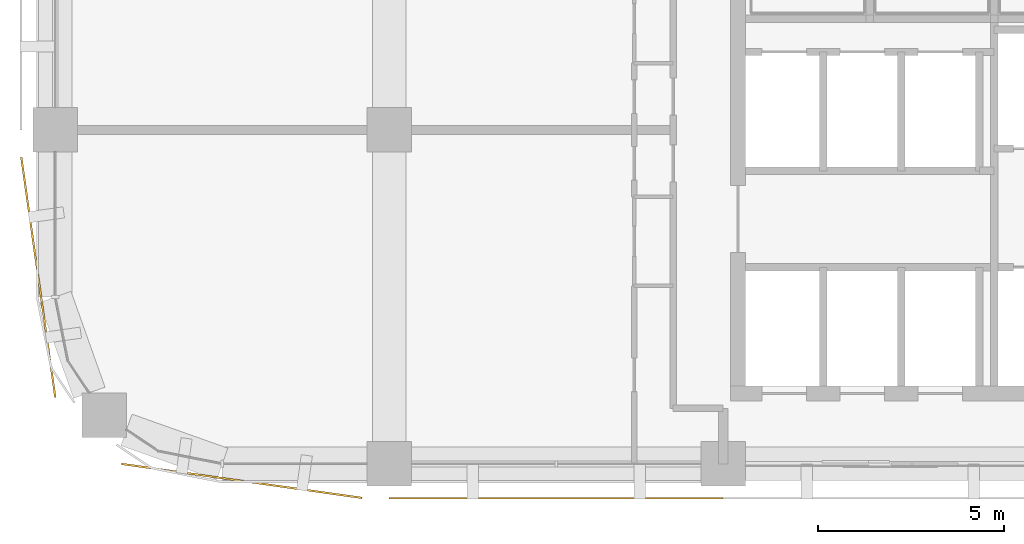
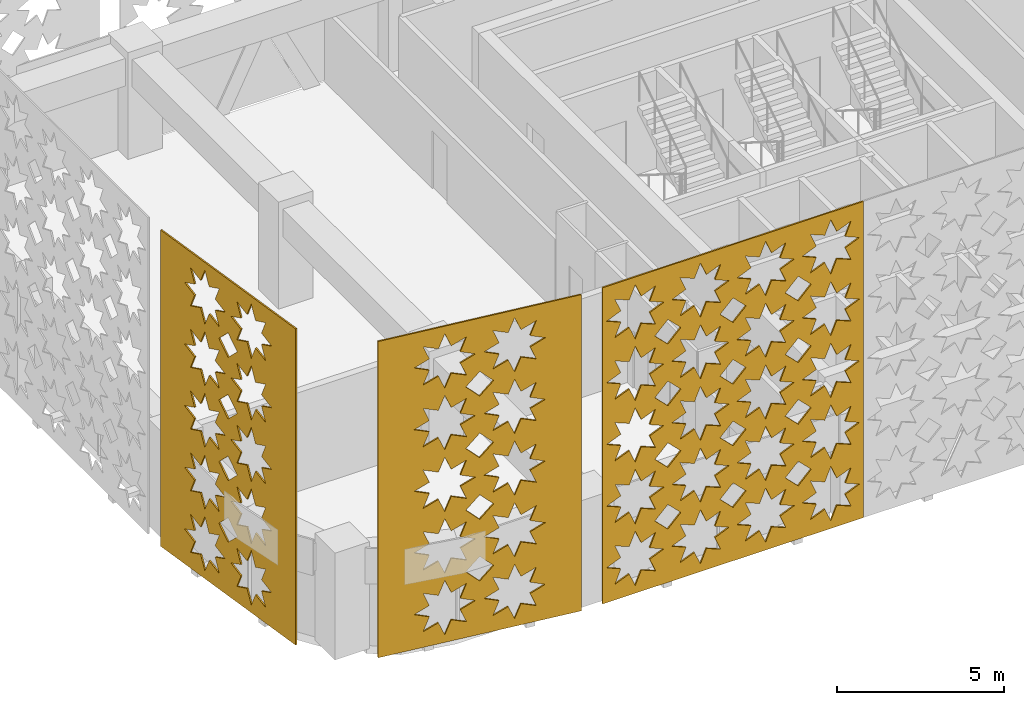
# One storey, part 9 of 14: 3 coverings.
"""IFC4 building model written with IfcOpenShell, lengths in metres."""

import ifcopenshell
import ifcopenshell.guid

model = None  # the IFC model being written
_history = None  # IfcOwnerHistory: only IFC2X3 demands one
_inside = {}  # id of a spatial element -> (the spatial element, [elements in it])
_under = {}  # id of a project, library or spatial element -> (it, [spatial elements below it])
_declared = {}  # id of a project -> (the project, [libraries it declares])
_typed = {}  # id of a type object -> (the type object, [elements of that type])
_made_of = {}  # id of a material, layer set ... -> (it, [elements and type objects made of it])


def new_model(schema):
    """Start an empty IFC model of exactly this schema.

    Asked for "IFC4X3", IfcOpenShell would pick the latest addendum, in which some entities
    have other attributes; the version numbers below select the first issue.
    IFC2X3 requires an IfcOwnerHistory on every rooted entity: one is made here for all.
    """
    global model, _history
    if schema == "IFC4X3":
        model = ifcopenshell.file(schema_version=(4, 3, 0, 0))
    else:
        model = ifcopenshell.file(schema=schema)
    _inside.clear()
    _under.clear()
    _declared.clear()
    _typed.clear()
    _made_of.clear()
    _history = None
    if model.schema == "IFC2X3":
        org = make("IfcOrganization", Name="unknown")
        user = make(
            "IfcPersonAndOrganization",
            ThePerson=make("IfcPerson", FamilyName="unknown"),
            TheOrganization=org,
        )
        app = make(
            "IfcApplication",
            ApplicationDeveloper=org,
            Version="unknown",
            ApplicationFullName="unknown",
            ApplicationIdentifier="unknown",
        )
        _history = make(
            "IfcOwnerHistory",
            OwningUser=user,
            OwningApplication=app,
            ChangeAction="ADDED",
            CreationDate=0,
        )
    return model


def make(cls, **values):
    """One entity of the class cls with the attributes given. An attribute that is None is left unset."""
    return model.create_entity(
        cls, **{name: value for name, value in values.items() if value is not None}
    )


def rooted(cls, **values):
    """An entity with a GlobalId (a new one), such as an element, a storey or a relation."""
    return make(cls, GlobalId=ifcopenshell.guid.new(), OwnerHistory=_history, **values)


def si_unit(unit_type, name, prefix=None):
    """IfcSIUnit, for example si_unit("LENGTHUNIT", "METRE", prefix="MILLI")."""
    return make("IfcSIUnit", UnitType=unit_type, Prefix=prefix, Name=name)


def assignment(units):
    """IfcUnitAssignment: the units of a project."""
    return None if units is None else make("IfcUnitAssignment", Units=units)


def point(xyz):
    """IfcCartesianPoint."""
    return None if xyz is None else make("IfcCartesianPoint", Coordinates=xyz)


def direction(xyz):
    """IfcDirection."""
    return None if xyz is None else make("IfcDirection", DirectionRatios=xyz)


def frame(location, z_axis=None, x_axis=None):
    """IfcAxis2Placement3D, a coordinate frame: its origin and axes. An axis left out is left unset."""
    return make(
        "IfcAxis2Placement3D",
        Location=point(location),
        Axis=direction(z_axis),
        RefDirection=direction(x_axis),
    )


def origin():
    """The frame at (0, 0, 0) with its axes left unset."""
    return frame((0.0, 0.0, 0.0))


def place(relative_to, where):
    """IfcLocalPlacement: puts the frame where relative to a parent placement (None: the world)."""
    return make(
        "IfcLocalPlacement", PlacementRelTo=relative_to, RelativePlacement=where
    )


def context(
    kind, dimensions, precision=None, world=None, true_north=None, identifier=None
):
    """IfcGeometricRepresentationContext, for example the 3D "Model" context."""
    return make(
        "IfcGeometricRepresentationContext",
        ContextIdentifier=identifier,
        ContextType=kind,
        CoordinateSpaceDimension=dimensions,
        Precision=precision,
        WorldCoordinateSystem=world,
        TrueNorth=true_north,
    )


def subcontext(parent, identifier, kind, view, scale=None):
    """IfcGeometricRepresentationSubContext, for example "Body" below "Model"."""
    return make(
        "IfcGeometricRepresentationSubContext",
        ContextIdentifier=identifier,
        ContextType=kind,
        ParentContext=parent,
        TargetScale=scale,
        TargetView=view,
    )


def project(units=None, contexts=None):
    """IfcProject with its units and contexts."""
    return rooted(
        "IfcProject",
        Name="project",
        RepresentationContexts=contexts,
        UnitsInContext=assignment(units),
    )


def spatial(cls, under=None, at=None, **own):
    """A site, building, storey or space (cls), placed at a placement, below another one or the project."""
    s = rooted(cls, ObjectPlacement=at, **own)
    if under is not None:
        _under.setdefault(under.id(), (under, []))[1].append(s)
    return s


def polyline(points):
    """IfcPolyline through the points."""
    return make("IfcPolyline", Points=[point(p) for p in points])


def outline(outer, holes=None, kind="AREA"):
    """IfcArbitraryClosedProfileDef: a profile drawn as a closed curve; with holes, ...WithVoids."""
    if holes is None:
        return make("IfcArbitraryClosedProfileDef", ProfileType=kind, OuterCurve=outer)
    return make(
        "IfcArbitraryProfileDefWithVoids",
        ProfileType=kind,
        OuterCurve=outer,
        InnerCurves=holes,
    )


def extrude(swept, where, along, depth):
    """IfcExtrudedAreaSolid: the profile swept, set in the frame where, extruded along a direction by depth."""
    return make(
        "IfcExtrudedAreaSolid",
        SweptArea=swept,
        Position=where,
        ExtrudedDirection=direction(along),
        Depth=depth,
    )


def shape(context_of_items, identifier, shape_type, items):
    """IfcShapeRepresentation: the items that make up one representation, for example the "Body"."""
    return make(
        "IfcShapeRepresentation",
        ContextOfItems=context_of_items,
        RepresentationIdentifier=identifier,
        RepresentationType=shape_type,
        Items=items,
    )


def material(Name=None, Category=None):
    """IfcMaterial."""
    return make("IfcMaterial", Name=Name, Category=Category)


def layer(
    of_material, thickness, ventilated=None, Name=None, Category=None, Priority=None
):
    """IfcMaterialLayer: one layer of a wall or slab, of a material (None: an air gap)."""
    return make(
        "IfcMaterialLayer",
        Material=of_material,
        LayerThickness=thickness,
        IsVentilated=ventilated,
        Name=Name,
        Category=Category,
        Priority=Priority,
    )


def layer_set(layers, Name=None):
    """IfcMaterialLayerSet."""
    return make("IfcMaterialLayerSet", MaterialLayers=layers, LayerSetName=Name)


def made_of(thing, what):
    """Note that an element or type object is made of a material, layer set ...; save() writes the relation."""
    if what is not None:
        _made_of.setdefault(what.id(), (what, []))[1].append(thing)
    return thing


def type_object(cls, material=None, **own):
    """A type object (cls), such as IfcWallType, which elements share."""
    return made_of(rooted(cls, **own), material)


def element(
    cls,
    number,
    at=None,
    inside=None,
    cuts=None,
    type_object=None,
    material=None,
    context=None,
    identifier="Body",
    shape_type=None,
    held_by="IfcProductDefinitionShape",
    body=None,
    shapes=None,
    **own,
):
    """One element of the class cls, such as IfcWall. Its Tag is "e" and its number.

    at: its placement. inside: the storey or other place that contains it. cuts: it is an
    opening in that element (IfcRelVoidsElement). A single representation is given by context,
    identifier, shape_type and body (its items); several are given by shapes. held_by: the class
    of the entity that holds the representations. save() writes the other relations.
    """
    e = rooted(cls, Tag="e%d" % number, ObjectPlacement=at, **own)
    if body is not None:
        shapes = [shape(context, identifier, shape_type, body)]
    if shapes is not None:
        e.Representation = make(held_by, Representations=shapes)
    if inside is not None:
        _inside.setdefault(inside.id(), (inside, []))[1].append(e)
    if cuts is not None:
        rooted(
            "IfcRelVoidsElement", RelatingBuildingElement=cuts, RelatedOpeningElement=e
        )
    if type_object is not None:
        _typed.setdefault(type_object.id(), (type_object, []))[1].append(e)
    return made_of(e, material)


def aggregate(whole, parts):
    """IfcRelAggregates: a whole, such as a stair, and the parts it consists of."""
    return rooted("IfcRelAggregates", RelatingObject=whole, RelatedObjects=parts)


def save(model, path):
    """Write the relations noted so far, then the file.

    IfcRelAggregates (storeys below a building ...), IfcRelContainedInSpatialStructure (elements
    in a storey), IfcRelDefinesByType, IfcRelAssociatesMaterial and IfcRelDeclares: one each for
    every whole, place, type object, material and project.
    """
    for whole, parts in _under.values():
        aggregate(whole, parts)
    for where, things in _inside.values():
        rooted(
            "IfcRelContainedInSpatialStructure",
            RelatedElements=things,
            RelatingStructure=where,
        )
    for kind, things in _typed.values():
        rooted("IfcRelDefinesByType", RelatedObjects=things, RelatingType=kind)
    for what, things in _made_of.values():
        rooted("IfcRelAssociatesMaterial", RelatedObjects=things, RelatingMaterial=what)
    for by, libraries in _declared.values():
        rooted("IfcRelDeclares", RelatingContext=by, RelatedDefinitions=libraries)
    model.write(path)


model = new_model("IFC4")

# Units and contexts
model_context = context("Model", 3, precision=1e-05, world=origin(), true_north=direction((0.0, 1.0)))
body_context = subcontext(model_context, "Body", "Model", "MODEL_VIEW")
ifc_project = project(units=[si_unit("LENGTHUNIT", "METRE"), si_unit("AREAUNIT", "SQUARE_METRE"), si_unit("VOLUMEUNIT", "CUBIC_METRE"), si_unit("PLANEANGLEUNIT", "RADIAN"), si_unit("MASSUNIT", "GRAM", prefix="KILO")], contexts=[model_context])

# Site, building, storey
site_placement = place(None, origin())
site = spatial("IfcSite", under=ifc_project, at=site_placement, CompositionType="ELEMENT")
building_placement = place(site_placement, origin())
building = spatial("IfcBuilding", under=site, at=building_placement, Name="Tessera Arch", CompositionType="ELEMENT")
storey_placement = place(building_placement, frame((0.0, 0.0, 269.60009765625)))
storey = spatial("IfcBuildingStorey", under=building, at=storey_placement, Name="L65", CompositionType="ELEMENT", Elevation=269.60009765625)

# Coverings
ifc_material_1 = material(Name="Anodised aluminium pale metal", Category="aluminium")
ifc_layer_1 = layer(ifc_material_1, 0.050048828125)
ifc_layer_set_1 = layer_set([ifc_layer_1], Name="Pierced screen panel corner bay")
covering_type_1 = type_object("IfcCoveringType", Name="Pierced screen panel corner bay", PredefinedType="CLADDING", material=ifc_layer_set_1)
covering_1_placement = place(storey_placement, frame((17.10888671875, 35.27392578125, 11.699951171875), z_axis=(0.990141011378, 0.140074186016, 0.0), x_axis=(0.140074186016, -0.990141011378, 0.0)))
element("IfcCovering", 1, at=covering_1_placement, inside=storey, type_object=covering_type_1, Name="SCREEN pierced panel W18.27/2 L65-L67", PredefinedType="CLADDING", context=body_context, shape_type="SweptSolid", body=[
    extrude(outline(polyline([(0.0, 0.0), (6.546475218445481, 0.0), (6.546475218445481, 11.5400390625), (0.0, 11.5400390625), (0.0, 0.0)]), holes=[polyline([(3.1378926073747033, 10.27001953125), (2.646957140062835, 10.06298828125), (2.8479028079497066, 9.570068359375), (2.354999273675671, 9.77099609375), (2.147907671256942, 9.280029296875), (1.941990539265672, 9.77099609375), (1.4481200704102128, 9.570068359375), (1.6490657382970841, 10.06298828125), (1.158130270985216, 10.27001953125), (1.6490657382970841, 10.47705078125), (1.4481200704102128, 10.969970703125), (1.941990539265672, 10.76904296875), (2.147907671256942, 11.260009765625), (2.354999273675671, 10.76904296875), (2.8479028079497066, 10.969970703125), (2.646957140062835, 10.47705078125), (3.1378926073747033, 10.27001953125)]), polyline([(3.1378926073747033, 8.02001953125), (2.646957140062835, 7.81298828125), (2.8479028079497066, 7.320068359375), (2.354999273675671, 7.52099609375), (2.147907671256942, 7.030029296875), (1.941990539265672, 7.52099609375), (1.4481200704102128, 7.320068359375), (1.6490657382970841, 7.81298828125), (1.158130270985216, 8.02001953125), (1.6490657382970841, 8.22705078125), (1.4481200704102128, 8.719970703125), (1.941990539265672, 8.51904296875), (2.147907671256942, 9.010009765625), (2.354999273675671, 8.51904296875), (2.8479028079497066, 8.719970703125), (2.646957140062835, 8.22705078125), (3.1378926073747033, 8.02001953125)]), polyline([(3.1378926073747033, 5.77001953125), (2.646957140062835, 5.56298828125), (2.8479028079497066, 5.070068359375), (2.354999273675671, 5.27099609375), (2.147907671256942, 4.780029296875), (1.941990539265672, 5.27099609375), (1.4481200704102128, 5.070068359375), (1.6490657382970841, 5.56298828125), (1.158130270985216, 5.77001953125), (1.6490657382970841, 5.97705078125), (1.4481200704102128, 6.469970703125), (1.941990539265672, 6.26904296875), (2.147907671256942, 6.760009765625), (2.354999273675671, 6.26904296875), (2.8479028079497066, 6.469970703125), (2.646957140062835, 5.97705078125), (3.1378926073747033, 5.77001953125)]), polyline([(3.1378926073747033, 3.52001953125), (2.646957140062835, 3.31298828125), (2.8479028079497066, 2.820068359375), (2.354999273675671, 3.02099609375), (2.147907671256942, 2.530029296875), (1.941990539265672, 3.02099609375), (1.4481200704102128, 2.820068359375), (1.6490657382970841, 3.31298828125), (1.158130270985216, 3.52001953125), (1.6490657382970841, 3.72705078125), (1.4481200704102128, 4.219970703125), (1.941990539265672, 4.01904296875), (2.147907671256942, 4.510009765625), (2.354999273675671, 4.01904296875), (2.8479028079497066, 4.219970703125), (2.646957140062835, 3.72705078125), (3.1378926073747033, 3.52001953125)]), polyline([(3.1378926073747033, 1.27001953125), (2.646957140062835, 1.06298828125), (2.8479028079497066, 0.570068359375), (2.354999273675671, 0.77099609375), (2.147907671256942, 0.280029296875), (1.941990539265672, 0.77099609375), (1.4481200704102128, 0.570068359375), (1.6490657382970841, 1.06298828125), (1.158130270985216, 1.27001953125), (1.6490657382970841, 1.47705078125), (1.4481200704102128, 1.969970703125), (1.941990539265672, 1.76904296875), (2.147907671256942, 2.260009765625), (2.354999273675671, 1.76904296875), (2.8479028079497066, 1.969970703125), (2.646957140062835, 1.47705078125), (3.1378926073747033, 1.27001953125)]), polyline([(5.387861480169554, 10.27001953125), (4.896926012857686, 10.06298828125), (5.097871680744557, 9.570068359375), (4.604968146470521, 9.77099609375), (4.398118277697149, 9.280029296875), (4.191959412060523, 9.77099609375), (3.698088943205064, 9.570068359375), (3.899034611091935, 10.06298828125), (3.408099143780067, 10.27001953125), (3.899034611091935, 10.47705078125), (3.698088943205064, 10.969970703125), (4.191959412060523, 10.76904296875), (4.398118277697149, 11.260009765625), (4.604968146470521, 10.76904296875), (5.097871680744557, 10.969970703125), (4.896926012857686, 10.47705078125), (5.387861480169554, 10.27001953125)]), polyline([(5.387861480169554, 8.02001953125), (4.896926012857686, 7.81298828125), (5.097871680744557, 7.320068359375), (4.604968146470521, 7.52099609375), (4.398118277697149, 7.030029296875), (4.191959412060523, 7.52099609375), (3.698088943205064, 7.320068359375), (3.899034611091935, 7.81298828125), (3.408099143780067, 8.02001953125), (3.899034611091935, 8.22705078125), (3.698088943205064, 8.719970703125), (4.191959412060523, 8.51904296875), (4.398118277697149, 9.010009765625), (4.604968146470521, 8.51904296875), (5.097871680744557, 8.719970703125), (4.896926012857686, 8.22705078125), (5.387861480169554, 8.02001953125)]), polyline([(5.387861480169554, 5.77001953125), (4.896926012857686, 5.56298828125), (5.097871680744557, 5.070068359375), (4.604968146470521, 5.27099609375), (4.398118277697149, 4.780029296875), (4.191959412060523, 5.27099609375), (3.698088943205064, 5.070068359375), (3.899034611091935, 5.56298828125), (3.408099143780067, 5.77001953125), (3.899034611091935, 5.97705078125), (3.698088943205064, 6.469970703125), (4.191959412060523, 6.26904296875), (4.398118277697149, 6.760009765625), (4.604968146470521, 6.26904296875), (5.097871680744557, 6.469970703125), (4.896926012857686, 5.97705078125), (5.387861480169554, 5.77001953125)]), polyline([(5.387861480169554, 3.52001953125), (4.896926012857686, 3.31298828125), (5.097871680744557, 2.820068359375), (4.604968146470521, 3.02099609375), (4.398118277697149, 2.530029296875), (4.191959412060523, 3.02099609375), (3.698088943205064, 2.820068359375), (3.899034611091935, 3.31298828125), (3.408099143780067, 3.52001953125), (3.899034611091935, 3.72705078125), (3.698088943205064, 4.219970703125), (4.191959412060523, 4.01904296875), (4.398118277697149, 4.510009765625), (4.604968146470521, 4.01904296875), (5.097871680744557, 4.219970703125), (4.896926012857686, 3.72705078125), (5.387861480169554, 3.52001953125)]), polyline([(5.387861480169554, 1.27001953125), (4.896926012857686, 1.06298828125), (5.097871680744557, 0.570068359375), (4.604968146470521, 0.77099609375), (4.398118277697149, 0.280029296875), (4.191959412060523, 0.77099609375), (3.698088943205064, 0.570068359375), (3.899034611091935, 1.06298828125), (3.408099143780067, 1.27001953125), (3.899034611091935, 1.47705078125), (3.698088943205064, 1.969970703125), (4.191959412060523, 1.76904296875), (4.398118277697149, 2.260009765625), (4.604968146470521, 1.76904296875), (5.097871680744557, 1.969970703125), (4.896926012857686, 1.47705078125), (5.387861480169554, 1.27001953125)]), polyline([(3.7229828105764913, 9.14501953125), (3.2729958755773856, 8.695068359375), (2.823008940578279, 9.14501953125), (3.2729958755773856, 9.594970703125), (3.7229828105764913, 9.14501953125)]), polyline([(3.7229828105764913, 6.89501953125), (3.2729958755773856, 6.445068359375), (2.823008940578279, 6.89501953125), (3.2729958755773856, 7.344970703125), (3.7229828105764913, 6.89501953125)]), polyline([(3.7229828105764913, 4.64501953125), (3.2729958755773856, 4.195068359375), (2.823008940578279, 4.64501953125), (3.2729958755773856, 5.094970703125), (3.7229828105764913, 4.64501953125)]), polyline([(3.7229828105764913, 2.39501953125), (3.2729958755773856, 1.945068359375), (2.823008940578279, 2.39501953125), (3.2729958755773856, 2.844970703125), (3.7229828105764913, 2.39501953125)])]), origin(), (0.0, 0.0, -1.0), 0.050048828125),
])
covering_2_placement = place(storey_placement, frame((19.7919921875, 27.02587890625, 11.699951171875), z_axis=(0.140074186016, 0.990141011378, 0.0), x_axis=(0.990141011378, -0.140074186016, 0.0)))
element("IfcCovering", 2, at=covering_2_placement, inside=storey, type_object=covering_type_1, Name="SCREEN pierced panel S27.18/0 L65-L67", PredefinedType="CLADDING", context=body_context, shape_type="SweptSolid", body=[
    extrude(outline(polyline([(0.0, 0.0), (6.546475218445481, 0.0), (6.546475218445481, 11.5400390625), (0.0, 11.5400390625), (0.0, 0.0)]), holes=[polyline([(3.137858409575383, 10.27001953125), (2.6469229422635148, 10.06298828125), (2.8479028079497066, 9.570068359375), (2.354999273675671, 9.77099609375), (2.1478734734576217, 9.280029296875), (1.941990539265672, 9.77099609375), (1.447878336764857, 9.570068359375), (1.6490657382970841, 10.06298828125), (1.15788853733986, 10.27001953125), (1.6490657382970841, 10.47705078125), (1.447878336764857, 10.969970703125), (1.941990539265672, 10.76904296875), (2.1478734734576217, 11.260009765625), (2.354999273675671, 10.76904296875), (2.8479028079497066, 10.969970703125), (2.6469229422635148, 10.47705078125), (3.137858409575383, 10.27001953125)]), polyline([(3.137858409575383, 8.02001953125), (2.6469229422635148, 7.81298828125), (2.8479028079497066, 7.320068359375), (2.354999273675671, 7.52099609375), (2.1478734734576217, 7.030029296875), (1.941990539265672, 7.52099609375), (1.447878336764857, 7.320068359375), (1.6490657382970841, 7.81298828125), (1.15788853733986, 8.02001953125), (1.6490657382970841, 8.22705078125), (1.447878336764857, 8.719970703125), (1.941990539265672, 8.51904296875), (2.1478734734576217, 9.010009765625), (2.354999273675671, 8.51904296875), (2.8479028079497066, 8.719970703125), (2.6469229422635148, 8.22705078125), (3.137858409575383, 8.02001953125)]), polyline([(3.137858409575383, 5.77001953125), (2.6469229422635148, 5.56298828125), (2.8479028079497066, 5.070068359375), (2.354999273675671, 5.27099609375), (2.1478734734576217, 4.780029296875), (1.941990539265672, 5.27099609375), (1.447878336764857, 5.070068359375), (1.6490657382970841, 5.56298828125), (1.15788853733986, 5.77001953125), (1.6490657382970841, 5.97705078125), (1.447878336764857, 6.469970703125), (1.941990539265672, 6.26904296875), (2.1478734734576217, 6.760009765625), (2.354999273675671, 6.26904296875), (2.8479028079497066, 6.469970703125), (2.6469229422635148, 5.97705078125), (3.137858409575383, 5.77001953125)]), polyline([(3.137858409575383, 3.52001953125), (2.6469229422635148, 3.31298828125), (2.8479028079497066, 2.820068359375), (2.354999273675671, 3.02099609375), (2.1478734734576217, 2.530029296875), (1.941990539265672, 3.02099609375), (1.447878336764857, 2.820068359375), (1.6490657382970841, 3.31298828125), (1.15788853733986, 3.52001953125), (1.6490657382970841, 3.72705078125), (1.447878336764857, 4.219970703125), (1.941990539265672, 4.01904296875), (2.1478734734576217, 4.510009765625), (2.354999273675671, 4.01904296875), (2.8479028079497066, 4.219970703125), (2.6469229422635148, 3.72705078125), (3.137858409575383, 3.52001953125)]), polyline([(3.137858409575383, 1.27001953125), (2.6469229422635148, 1.06298828125), (2.8479028079497066, 0.570068359375), (2.354999273675671, 0.77099609375), (2.1478734734576217, 0.280029296875), (1.941990539265672, 0.77099609375), (1.447878336764857, 0.570068359375), (1.6490657382970841, 1.06298828125), (1.15788853733986, 1.27001953125), (1.6490657382970841, 1.47705078125), (1.447878336764857, 1.969970703125), (1.941990539265672, 1.76904296875), (2.1478734734576217, 2.260009765625), (2.354999273675671, 1.76904296875), (2.8479028079497066, 1.969970703125), (2.6469229422635148, 1.47705078125), (3.137858409575383, 1.27001953125)]), polyline([(5.387827282370234, 10.27001953125), (4.896891815058366, 10.06298828125), (5.097871680744557, 9.570068359375), (4.604968146470521, 9.77099609375), (4.397842346252473, 9.280029296875), (4.191959412060523, 9.77099609375), (3.698088943205064, 9.570068359375), (3.899034611091935, 10.06298828125), (3.407857410134711, 10.27001953125), (3.899034611091935, 10.47705078125), (3.698088943205064, 10.969970703125), (4.191959412060523, 10.76904296875), (4.397842346252473, 11.260009765625), (4.604968146470521, 10.76904296875), (5.097871680744557, 10.969970703125), (4.896891815058366, 10.47705078125), (5.387827282370234, 10.27001953125)]), polyline([(5.387827282370234, 8.02001953125), (4.896891815058366, 7.81298828125), (5.097871680744557, 7.320068359375), (4.604968146470521, 7.52099609375), (4.397842346252473, 7.030029296875), (4.191959412060523, 7.52099609375), (3.698088943205064, 7.320068359375), (3.899034611091935, 7.81298828125), (3.407857410134711, 8.02001953125), (3.899034611091935, 8.22705078125), (3.698088943205064, 8.719970703125), (4.191959412060523, 8.51904296875), (4.397842346252473, 9.010009765625), (4.604968146470521, 8.51904296875), (5.097871680744557, 8.719970703125), (4.896891815058366, 8.22705078125), (5.387827282370234, 8.02001953125)]), polyline([(5.387827282370234, 5.77001953125), (4.896891815058366, 5.56298828125), (5.097871680744557, 5.070068359375), (4.604968146470521, 5.27099609375), (4.397842346252473, 4.780029296875), (4.191959412060523, 5.27099609375), (3.698088943205064, 5.070068359375), (3.899034611091935, 5.56298828125), (3.407857410134711, 5.77001953125), (3.899034611091935, 5.97705078125), (3.698088943205064, 6.469970703125), (4.191959412060523, 6.26904296875), (4.397842346252473, 6.760009765625), (4.604968146470521, 6.26904296875), (5.097871680744557, 6.469970703125), (4.896891815058366, 5.97705078125), (5.387827282370234, 5.77001953125)]), polyline([(5.387827282370234, 3.52001953125), (4.896891815058366, 3.31298828125), (5.097871680744557, 2.820068359375), (4.604968146470521, 3.02099609375), (4.397842346252473, 2.530029296875), (4.191959412060523, 3.02099609375), (3.698088943205064, 2.820068359375), (3.899034611091935, 3.31298828125), (3.407857410134711, 3.52001953125), (3.899034611091935, 3.72705078125), (3.698088943205064, 4.219970703125), (4.191959412060523, 4.01904296875), (4.397842346252473, 4.510009765625), (4.604968146470521, 4.01904296875), (5.097871680744557, 4.219970703125), (4.896891815058366, 3.72705078125), (5.387827282370234, 3.52001953125)]), polyline([(5.387827282370234, 1.27001953125), (4.896891815058366, 1.06298828125), (5.097871680744557, 0.570068359375), (4.604968146470521, 0.77099609375), (4.397842346252473, 0.280029296875), (4.191959412060523, 0.77099609375), (3.698088943205064, 0.570068359375), (3.899034611091935, 1.06298828125), (3.407857410134711, 1.27001953125), (3.899034611091935, 1.47705078125), (3.698088943205064, 1.969970703125), (4.191959412060523, 1.76904296875), (4.397842346252473, 2.260009765625), (4.604968146470521, 1.76904296875), (5.097871680744557, 1.969970703125), (4.896891815058366, 1.47705078125), (5.387827282370234, 1.27001953125)]), polyline([(3.7229828105764913, 9.14501953125), (3.2729958755773856, 8.695068359375), (2.8229747427789587, 9.14501953125), (3.2729958755773856, 9.594970703125), (3.7229828105764913, 9.14501953125)]), polyline([(3.7229828105764913, 6.89501953125), (3.2729958755773856, 6.445068359375), (2.8229747427789587, 6.89501953125), (3.2729958755773856, 7.344970703125), (3.7229828105764913, 6.89501953125)]), polyline([(3.7229828105764913, 4.64501953125), (3.2729958755773856, 4.195068359375), (2.8229747427789587, 4.64501953125), (3.2729958755773856, 5.094970703125), (3.7229828105764913, 4.64501953125)]), polyline([(3.7229828105764913, 2.39501953125), (3.2729958755773856, 1.945068359375), (2.8229747427789587, 2.39501953125), (3.2729958755773856, 2.844970703125), (3.7229828105764913, 2.39501953125)])]), origin(), (0.0, 0.0, -1.0), 0.050048828125),
])
ifc_material_2 = material(Name="Anodised aluminium pale metal", Category="aluminium")
ifc_layer_2 = layer(ifc_material_2, 0.050048828125)
ifc_layer_set_2 = layer_set([ifc_layer_2], Name="Pierced screen panel straight bay")
covering_type_2 = type_object("IfcCoveringType", Name="Pierced screen panel straight bay", PredefinedType="CLADDING", material=ifc_layer_set_2)
covering_3_placement = place(storey_placement, frame((27.0, 26.10009765625, 11.699951171875), z_axis=(0.0, 1.0, 0.0), x_axis=(1.0, 0.0, 0.0)))
element("IfcCovering", 3, at=covering_3_placement, inside=storey, type_object=covering_type_2, Name="SCREEN pierced panel S27.18/1 L65-L67", PredefinedType="CLADDING", context=body_context, shape_type="SweptSolid", body=[
    extrude(outline(polyline([(0.0, 0.0), (9.0, 0.0), (9.0, 11.5400390625), (0.0, 11.5400390625), (0.0, 0.0)]), holes=[polyline([(2.114990234375, 10.27001953125), (1.6240234375, 10.06298828125), (1.824951171875, 9.570068359375), (1.33203125, 9.77099609375), (1.125, 9.280029296875), (0.91796875, 9.77099609375), (0.425048828125, 9.570068359375), (0.6259765625, 10.06298828125), (0.135009765625, 10.27001953125), (0.6259765625, 10.47705078125), (0.425048828125, 10.969970703125), (0.91796875, 10.76904296875), (1.125, 11.260009765625), (1.33203125, 10.76904296875), (1.824951171875, 10.969970703125), (1.6240234375, 10.47705078125), (2.114990234375, 10.27001953125)]), polyline([(2.114990234375, 8.02001953125), (1.6240234375, 7.81298828125), (1.824951171875, 7.320068359375), (1.33203125, 7.52099609375), (1.125, 7.030029296875), (0.91796875, 7.52099609375), (0.425048828125, 7.320068359375), (0.6259765625, 7.81298828125), (0.135009765625, 8.02001953125), (0.6259765625, 8.22705078125), (0.425048828125, 8.719970703125), (0.91796875, 8.51904296875), (1.125, 9.010009765625), (1.33203125, 8.51904296875), (1.824951171875, 8.719970703125), (1.6240234375, 8.22705078125), (2.114990234375, 8.02001953125)]), polyline([(2.114990234375, 5.77001953125), (1.6240234375, 5.56298828125), (1.824951171875, 5.070068359375), (1.33203125, 5.27099609375), (1.125, 4.780029296875), (0.91796875, 5.27099609375), (0.425048828125, 5.070068359375), (0.6259765625, 5.56298828125), (0.135009765625, 5.77001953125), (0.6259765625, 5.97705078125), (0.425048828125, 6.469970703125), (0.91796875, 6.26904296875), (1.125, 6.760009765625), (1.33203125, 6.26904296875), (1.824951171875, 6.469970703125), (1.6240234375, 5.97705078125), (2.114990234375, 5.77001953125)]), polyline([(2.114990234375, 3.52001953125), (1.6240234375, 3.31298828125), (1.824951171875, 2.820068359375), (1.33203125, 3.02099609375), (1.125, 2.530029296875), (0.91796875, 3.02099609375), (0.425048828125, 2.820068359375), (0.6259765625, 3.31298828125), (0.135009765625, 3.52001953125), (0.6259765625, 3.72705078125), (0.425048828125, 4.219970703125), (0.91796875, 4.01904296875), (1.125, 4.510009765625), (1.33203125, 4.01904296875), (1.824951171875, 4.219970703125), (1.6240234375, 3.72705078125), (2.114990234375, 3.52001953125)]), polyline([(2.114990234375, 1.27001953125), (1.6240234375, 1.06298828125), (1.824951171875, 0.570068359375), (1.33203125, 0.77099609375), (1.125, 0.280029296875), (0.91796875, 0.77099609375), (0.425048828125, 0.570068359375), (0.6259765625, 1.06298828125), (0.135009765625, 1.27001953125), (0.6259765625, 1.47705078125), (0.425048828125, 1.969970703125), (0.91796875, 1.76904296875), (1.125, 2.260009765625), (1.33203125, 1.76904296875), (1.824951171875, 1.969970703125), (1.6240234375, 1.47705078125), (2.114990234375, 1.27001953125)]), polyline([(4.364990234375, 10.27001953125), (3.8740234375, 10.06298828125), (4.074951171875, 9.570068359375), (3.58203125, 9.77099609375), (3.375, 9.280029296875), (3.16796875, 9.77099609375), (2.675048828125, 9.570068359375), (2.8759765625, 10.06298828125), (2.385009765625, 10.27001953125), (2.8759765625, 10.47705078125), (2.675048828125, 10.969970703125), (3.16796875, 10.76904296875), (3.375, 11.260009765625), (3.58203125, 10.76904296875), (4.074951171875, 10.969970703125), (3.8740234375, 10.47705078125), (4.364990234375, 10.27001953125)]), polyline([(4.364990234375, 8.02001953125), (3.8740234375, 7.81298828125), (4.074951171875, 7.320068359375), (3.58203125, 7.52099609375), (3.375, 7.030029296875), (3.16796875, 7.52099609375), (2.675048828125, 7.320068359375), (2.8759765625, 7.81298828125), (2.385009765625, 8.02001953125), (2.8759765625, 8.22705078125), (2.675048828125, 8.719970703125), (3.16796875, 8.51904296875), (3.375, 9.010009765625), (3.58203125, 8.51904296875), (4.074951171875, 8.719970703125), (3.8740234375, 8.22705078125), (4.364990234375, 8.02001953125)]), polyline([(4.364990234375, 5.77001953125), (3.8740234375, 5.56298828125), (4.074951171875, 5.070068359375), (3.58203125, 5.27099609375), (3.375, 4.780029296875), (3.16796875, 5.27099609375), (2.675048828125, 5.070068359375), (2.8759765625, 5.56298828125), (2.385009765625, 5.77001953125), (2.8759765625, 5.97705078125), (2.675048828125, 6.469970703125), (3.16796875, 6.26904296875), (3.375, 6.760009765625), (3.58203125, 6.26904296875), (4.074951171875, 6.469970703125), (3.8740234375, 5.97705078125), (4.364990234375, 5.77001953125)]), polyline([(4.364990234375, 3.52001953125), (3.8740234375, 3.31298828125), (4.074951171875, 2.820068359375), (3.58203125, 3.02099609375), (3.375, 2.530029296875), (3.16796875, 3.02099609375), (2.675048828125, 2.820068359375), (2.8759765625, 3.31298828125), (2.385009765625, 3.52001953125), (2.8759765625, 3.72705078125), (2.675048828125, 4.219970703125), (3.16796875, 4.01904296875), (3.375, 4.510009765625), (3.58203125, 4.01904296875), (4.074951171875, 4.219970703125), (3.8740234375, 3.72705078125), (4.364990234375, 3.52001953125)]), polyline([(4.364990234375, 1.27001953125), (3.8740234375, 1.06298828125), (4.074951171875, 0.570068359375), (3.58203125, 0.77099609375), (3.375, 0.280029296875), (3.16796875, 0.77099609375), (2.675048828125, 0.570068359375), (2.8759765625, 1.06298828125), (2.385009765625, 1.27001953125), (2.8759765625, 1.47705078125), (2.675048828125, 1.969970703125), (3.16796875, 1.76904296875), (3.375, 2.260009765625), (3.58203125, 1.76904296875), (4.074951171875, 1.969970703125), (3.8740234375, 1.47705078125), (4.364990234375, 1.27001953125)]), polyline([(6.614990234375, 10.27001953125), (6.1240234375, 10.06298828125), (6.324951171875, 9.570068359375), (5.83203125, 9.77099609375), (5.625, 9.280029296875), (5.41796875, 9.77099609375), (4.925048828125, 9.570068359375), (5.1259765625, 10.06298828125), (4.635009765625, 10.27001953125), (5.1259765625, 10.47705078125), (4.925048828125, 10.969970703125), (5.41796875, 10.76904296875), (5.625, 11.260009765625), (5.83203125, 10.76904296875), (6.324951171875, 10.969970703125), (6.1240234375, 10.47705078125), (6.614990234375, 10.27001953125)]), polyline([(6.614990234375, 8.02001953125), (6.1240234375, 7.81298828125), (6.324951171875, 7.320068359375), (5.83203125, 7.52099609375), (5.625, 7.030029296875), (5.41796875, 7.52099609375), (4.925048828125, 7.320068359375), (5.1259765625, 7.81298828125), (4.635009765625, 8.02001953125), (5.1259765625, 8.22705078125), (4.925048828125, 8.719970703125), (5.41796875, 8.51904296875), (5.625, 9.010009765625), (5.83203125, 8.51904296875), (6.324951171875, 8.719970703125), (6.1240234375, 8.22705078125), (6.614990234375, 8.02001953125)]), polyline([(6.614990234375, 5.77001953125), (6.1240234375, 5.56298828125), (6.324951171875, 5.070068359375), (5.83203125, 5.27099609375), (5.625, 4.780029296875), (5.41796875, 5.27099609375), (4.925048828125, 5.070068359375), (5.1259765625, 5.56298828125), (4.635009765625, 5.77001953125), (5.1259765625, 5.97705078125), (4.925048828125, 6.469970703125), (5.41796875, 6.26904296875), (5.625, 6.760009765625), (5.83203125, 6.26904296875), (6.324951171875, 6.469970703125), (6.1240234375, 5.97705078125), (6.614990234375, 5.77001953125)]), polyline([(6.614990234375, 3.52001953125), (6.1240234375, 3.31298828125), (6.324951171875, 2.820068359375), (5.83203125, 3.02099609375), (5.625, 2.530029296875), (5.41796875, 3.02099609375), (4.925048828125, 2.820068359375), (5.1259765625, 3.31298828125), (4.635009765625, 3.52001953125), (5.1259765625, 3.72705078125), (4.925048828125, 4.219970703125), (5.41796875, 4.01904296875), (5.625, 4.510009765625), (5.83203125, 4.01904296875), (6.324951171875, 4.219970703125), (6.1240234375, 3.72705078125), (6.614990234375, 3.52001953125)]), polyline([(6.614990234375, 1.27001953125), (6.1240234375, 1.06298828125), (6.324951171875, 0.570068359375), (5.83203125, 0.77099609375), (5.625, 0.280029296875), (5.41796875, 0.77099609375), (4.925048828125, 0.570068359375), (5.1259765625, 1.06298828125), (4.635009765625, 1.27001953125), (5.1259765625, 1.47705078125), (4.925048828125, 1.969970703125), (5.41796875, 1.76904296875), (5.625, 2.260009765625), (5.83203125, 1.76904296875), (6.324951171875, 1.969970703125), (6.1240234375, 1.47705078125), (6.614990234375, 1.27001953125)]), polyline([(8.864990234375, 10.27001953125), (8.3740234375, 10.06298828125), (8.574951171875, 9.570068359375), (8.08203125, 9.77099609375), (7.875, 9.280029296875), (7.66796875, 9.77099609375), (7.175048828125, 9.570068359375), (7.3759765625, 10.06298828125), (6.885009765625, 10.27001953125), (7.3759765625, 10.47705078125), (7.175048828125, 10.969970703125), (7.66796875, 10.76904296875), (7.875, 11.260009765625), (8.08203125, 10.76904296875), (8.574951171875, 10.969970703125), (8.3740234375, 10.47705078125), (8.864990234375, 10.27001953125)]), polyline([(8.864990234375, 8.02001953125), (8.3740234375, 7.81298828125), (8.574951171875, 7.320068359375), (8.08203125, 7.52099609375), (7.875, 7.030029296875), (7.66796875, 7.52099609375), (7.175048828125, 7.320068359375), (7.3759765625, 7.81298828125), (6.885009765625, 8.02001953125), (7.3759765625, 8.22705078125), (7.175048828125, 8.719970703125), (7.66796875, 8.51904296875), (7.875, 9.010009765625), (8.08203125, 8.51904296875), (8.574951171875, 8.719970703125), (8.3740234375, 8.22705078125), (8.864990234375, 8.02001953125)]), polyline([(8.864990234375, 5.77001953125), (8.3740234375, 5.56298828125), (8.574951171875, 5.070068359375), (8.08203125, 5.27099609375), (7.875, 4.780029296875), (7.66796875, 5.27099609375), (7.175048828125, 5.070068359375), (7.3759765625, 5.56298828125), (6.885009765625, 5.77001953125), (7.3759765625, 5.97705078125), (7.175048828125, 6.469970703125), (7.66796875, 6.26904296875), (7.875, 6.760009765625), (8.08203125, 6.26904296875), (8.574951171875, 6.469970703125), (8.3740234375, 5.97705078125), (8.864990234375, 5.77001953125)]), polyline([(8.864990234375, 3.52001953125), (8.3740234375, 3.31298828125), (8.574951171875, 2.820068359375), (8.08203125, 3.02099609375), (7.875, 2.530029296875), (7.66796875, 3.02099609375), (7.175048828125, 2.820068359375), (7.3759765625, 3.31298828125), (6.885009765625, 3.52001953125), (7.3759765625, 3.72705078125), (7.175048828125, 4.219970703125), (7.66796875, 4.01904296875), (7.875, 4.510009765625), (8.08203125, 4.01904296875), (8.574951171875, 4.219970703125), (8.3740234375, 3.72705078125), (8.864990234375, 3.52001953125)]), polyline([(8.864990234375, 1.27001953125), (8.3740234375, 1.06298828125), (8.574951171875, 0.570068359375), (8.08203125, 0.77099609375), (7.875, 0.280029296875), (7.66796875, 0.77099609375), (7.175048828125, 0.570068359375), (7.3759765625, 1.06298828125), (6.885009765625, 1.27001953125), (7.3759765625, 1.47705078125), (7.175048828125, 1.969970703125), (7.66796875, 1.76904296875), (7.875, 2.260009765625), (8.08203125, 1.76904296875), (8.574951171875, 1.969970703125), (8.3740234375, 1.47705078125), (8.864990234375, 1.27001953125)]), polyline([(2.699951171875, 9.14501953125), (2.25, 8.695068359375), (1.800048828125, 9.14501953125), (2.25, 9.594970703125), (2.699951171875, 9.14501953125)]), polyline([(2.699951171875, 6.89501953125), (2.25, 6.445068359375), (1.800048828125, 6.89501953125), (2.25, 7.344970703125), (2.699951171875, 6.89501953125)]), polyline([(2.699951171875, 4.64501953125), (2.25, 4.195068359375), (1.800048828125, 4.64501953125), (2.25, 5.094970703125), (2.699951171875, 4.64501953125)]), polyline([(2.699951171875, 2.39501953125), (2.25, 1.945068359375), (1.800048828125, 2.39501953125), (2.25, 2.844970703125), (2.699951171875, 2.39501953125)]), polyline([(4.949951171875, 9.14501953125), (4.5, 8.695068359375), (4.050048828125, 9.14501953125), (4.5, 9.594970703125), (4.949951171875, 9.14501953125)]), polyline([(4.949951171875, 6.89501953125), (4.5, 6.445068359375), (4.050048828125, 6.89501953125), (4.5, 7.344970703125), (4.949951171875, 6.89501953125)]), polyline([(4.949951171875, 4.64501953125), (4.5, 4.195068359375), (4.050048828125, 4.64501953125), (4.5, 5.094970703125), (4.949951171875, 4.64501953125)]), polyline([(4.949951171875, 2.39501953125), (4.5, 1.945068359375), (4.050048828125, 2.39501953125), (4.5, 2.844970703125), (4.949951171875, 2.39501953125)]), polyline([(7.199951171875, 9.14501953125), (6.75, 8.695068359375), (6.300048828125, 9.14501953125), (6.75, 9.594970703125), (7.199951171875, 9.14501953125)]), polyline([(7.199951171875, 6.89501953125), (6.75, 6.445068359375), (6.300048828125, 6.89501953125), (6.75, 7.344970703125), (7.199951171875, 6.89501953125)]), polyline([(7.199951171875, 4.64501953125), (6.75, 4.195068359375), (6.300048828125, 4.64501953125), (6.75, 5.094970703125), (7.199951171875, 4.64501953125)]), polyline([(7.199951171875, 2.39501953125), (6.75, 1.945068359375), (6.300048828125, 2.39501953125), (6.75, 2.844970703125), (7.199951171875, 2.39501953125)])]), origin(), (0.0, 0.0, -1.0), 0.050048828125),
])

save(model, "model.ifc")
